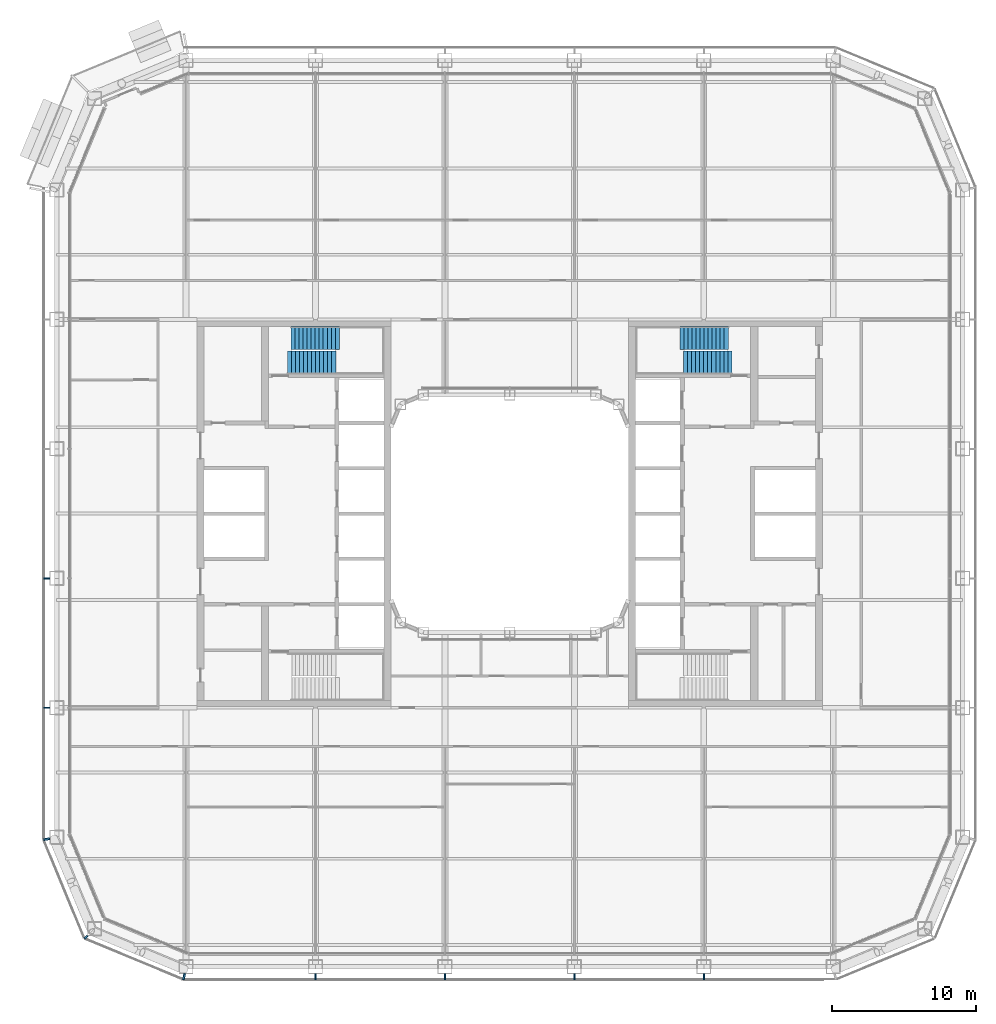
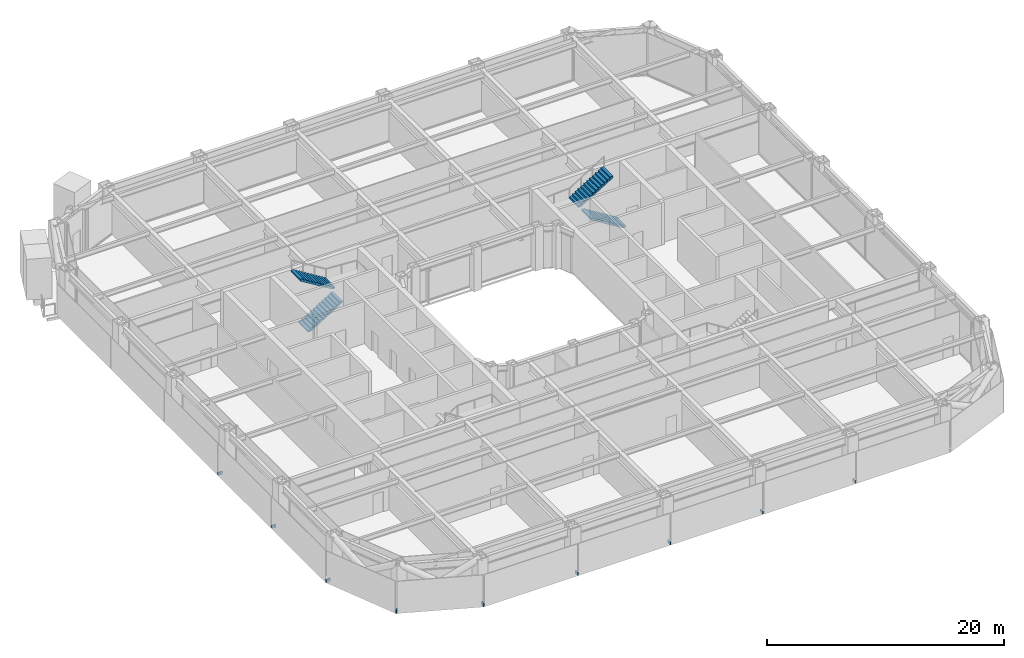
# One storey, part 17 of 29: 9 discrete accessories, 4 stair flights, 2 elements without a shape of their own.
"""IFC4 building model written with IfcOpenShell, lengths in metres."""

from ifc_helpers import new_model, si_unit, direction, frame, origin, origin_2d, place, context, subcontext, project, spatial, polyline, rectangle, outline, extrude, material, type_object, element, aggregate, save


model = new_model("IFC4")

# Units and contexts
model_context = context("Model", 3, precision=1e-05, world=origin(), true_north=direction((0.0, 1.0)))
body_context = subcontext(model_context, "Body", "Model", "MODEL_VIEW")
ifc_project = project(units=[si_unit("LENGTHUNIT", "METRE"), si_unit("AREAUNIT", "SQUARE_METRE"), si_unit("VOLUMEUNIT", "CUBIC_METRE"), si_unit("PLANEANGLEUNIT", "RADIAN"), si_unit("MASSUNIT", "GRAM", prefix="KILO")], contexts=[model_context])

# Site, building, storey
site_placement = place(None, origin())
site = spatial("IfcSite", under=ifc_project, at=site_placement, CompositionType="ELEMENT")
building_placement = place(site_placement, origin())
building = spatial("IfcBuilding", under=site, at=building_placement, Name="Siwar Civic Tower", CompositionType="ELEMENT")
storey_placement = place(building_placement, frame((0.0, 0.0, 67.199951171875)))
storey = spatial("IfcBuildingStorey", under=building, at=storey_placement, Name="L14", CompositionType="ELEMENT", Elevation=67.199951171875)

# Stair, stair flights
ifc_material_1 = material(Name="Concrete C40/50", Category="concrete")
stair_type = type_object("IfcStairType", Name="CORE-STAIR", PredefinedType="TWO_STRAIGHT_RUN_STAIR", material=ifc_material_1)
stair_1_placement = place(storey_placement, origin())
stair_1 = element("IfcStair", 1, at=stair_1_placement, inside=storey, type_object=stair_type, Name="Exit stair ST1", PredefinedType="TWO_STRAIGHT_RUN_STAIR")
ifc_material_2 = material(Name="Concrete C40/50", Category="concrete")
stair_flight_type = type_object("IfcStairFlightType", Name="CORE-STAIR-FLIGHT", PredefinedType="STRAIGHT", material=ifc_material_2)
stair_flight_1_placement = place(storey_placement, frame((-15.449951171875, 10.5, 0.0), z_axis=(0.0, 0.0, 1.0), x_axis=(1.0, 0.0, 0.0)))
stair_flight_1 = element("IfcStairFlight", 2, at=stair_flight_1_placement, type_object=stair_flight_type, Name="ST1 flight 1", NumberOfRisers=13, NumberOfTreads=12, PredefinedType="STRAIGHT", RiserHeight=0.173076923, TreadLength=0.28, context=body_context, shape_type="SweptSolid", body=[
    extrude(outline(polyline([(0.0, 0.0), (0.0, 0.173095703125), (0.280029296875, 0.173095703125), (0.280029296875, 0.34619140625), (0.56005859375, 0.34619140625), (0.56005859375, 0.519287109375), (0.840087890625, 0.519287109375), (0.840087890625, 0.6923828125), (1.1201171875, 0.6923828125), (1.1201171875, 0.865478515625), (1.39990234375, 0.865478515625), (1.39990234375, 1.03857421875), (1.679931640625, 1.03857421875), (1.679931640625, 1.21142578125), (1.9599609375, 1.21142578125), (1.9599609375, 1.384521484375), (2.239990234375, 1.384521484375), (2.239990234375, 1.5576171875), (2.52001953125, 1.5576171875), (2.52001953125, 1.730712890625), (2.800048828125, 1.730712890625), (2.800048828125, 1.90380859375), (3.080078125, 1.90380859375), (3.080078125, 2.076904296875), (3.360107421875, 2.076904296875), (3.360107421875, 2.25), (3.360107421875, 1.900634765625), (0.28515625, 0.0), (0.0, 0.0)])), frame((0.0, 0.800048828125, 0.0), z_axis=(0.0, -1.0, 0.0), x_axis=(1.0, 0.0, 0.0)), (0.0, 0.0, 1.0), 1.60009765625),
])
stair_flight_2_placement = place(storey_placement, frame((-11.840087890625, 12.199951171875, 2.25), z_axis=(0.0, 0.0, 1.0), x_axis=(-1.0, 0.0, 0.0)))
stair_flight_2 = element("IfcStairFlight", 3, at=stair_flight_2_placement, type_object=stair_flight_type, Name="ST1 flight 2", NumberOfRisers=13, NumberOfTreads=12, PredefinedType="STRAIGHT", RiserHeight=0.173076923, TreadLength=0.28, context=body_context, shape_type="SweptSolid", body=[
    extrude(outline(polyline([(0.0, 0.0), (0.0, 0.173095703125), (0.280029296875, 0.173095703125), (0.280029296875, 0.34619140625), (0.56005859375, 0.34619140625), (0.56005859375, 0.519287109375), (0.840087890625, 0.519287109375), (0.840087890625, 0.6923828125), (1.1201171875, 0.6923828125), (1.1201171875, 0.865478515625), (1.39990234375, 0.865478515625), (1.39990234375, 1.03857421875), (1.679931640625, 1.03857421875), (1.679931640625, 1.21142578125), (1.9599609375, 1.21142578125), (1.9599609375, 1.384521484375), (2.239990234375, 1.384521484375), (2.239990234375, 1.5576171875), (2.52001953125, 1.5576171875), (2.52001953125, 1.730712890625), (2.800048828125, 1.730712890625), (2.800048828125, 1.90380859375), (3.080078125, 1.90380859375), (3.080078125, 2.076904296875), (3.360107421875, 2.076904296875), (3.360107421875, 2.25), (3.360107421875, 1.900634765625), (0.28515625, 0.0), (0.0, 0.0)])), frame((0.0, 0.800048828125, 0.0), z_axis=(0.0, -1.0, 0.0), x_axis=(1.0, 0.0, 0.0)), (0.0, 0.0, 1.0), 1.60009765625),
])
aggregate(stair_1, [stair_flight_1, stair_flight_2])

stair_2_placement = place(storey_placement, origin())
stair_2 = element("IfcStair", 4, at=stair_2_placement, inside=storey, type_object=stair_type, Name="Exit stair ST3", PredefinedType="TWO_STRAIGHT_RUN_STAIR")
stair_flight_3_placement = place(storey_placement, frame((15.449951171875, 10.5, 0.0), z_axis=(0.0, 0.0, 1.0), x_axis=(-1.0, 0.0, 0.0)))
stair_flight_3 = element("IfcStairFlight", 5, at=stair_flight_3_placement, type_object=stair_flight_type, Name="ST3 flight 1", NumberOfRisers=13, NumberOfTreads=12, PredefinedType="STRAIGHT", RiserHeight=0.173076923, TreadLength=0.28, context=body_context, shape_type="SweptSolid", body=[
    extrude(outline(polyline([(0.0, 0.0), (0.0, 0.173095703125), (0.280029296875, 0.173095703125), (0.280029296875, 0.34619140625), (0.56005859375, 0.34619140625), (0.56005859375, 0.519287109375), (0.840087890625, 0.519287109375), (0.840087890625, 0.6923828125), (1.1201171875, 0.6923828125), (1.1201171875, 0.865478515625), (1.39990234375, 0.865478515625), (1.39990234375, 1.03857421875), (1.679931640625, 1.03857421875), (1.679931640625, 1.21142578125), (1.9599609375, 1.21142578125), (1.9599609375, 1.384521484375), (2.239990234375, 1.384521484375), (2.239990234375, 1.5576171875), (2.52001953125, 1.5576171875), (2.52001953125, 1.730712890625), (2.800048828125, 1.730712890625), (2.800048828125, 1.90380859375), (3.080078125, 1.90380859375), (3.080078125, 2.076904296875), (3.360107421875, 2.076904296875), (3.360107421875, 2.25), (3.360107421875, 1.900634765625), (0.28515625, 0.0), (0.0, 0.0)])), frame((0.0, 0.800048828125, 0.0), z_axis=(0.0, -1.0, 0.0), x_axis=(1.0, 0.0, 0.0)), (0.0, 0.0, 1.0), 1.60009765625),
])
stair_flight_4_placement = place(storey_placement, frame((11.840087890625, 12.199951171875, 2.25), z_axis=(0.0, 0.0, 1.0), x_axis=(1.0, 0.0, 0.0)))
stair_flight_4 = element("IfcStairFlight", 6, at=stair_flight_4_placement, type_object=stair_flight_type, Name="ST3 flight 2", NumberOfRisers=13, NumberOfTreads=12, PredefinedType="STRAIGHT", RiserHeight=0.173076923, TreadLength=0.28, context=body_context, shape_type="SweptSolid", body=[
    extrude(outline(polyline([(0.0, 0.0), (0.0, 0.173095703125), (0.280029296875, 0.173095703125), (0.280029296875, 0.34619140625), (0.56005859375, 0.34619140625), (0.56005859375, 0.519287109375), (0.840087890625, 0.519287109375), (0.840087890625, 0.6923828125), (1.1201171875, 0.6923828125), (1.1201171875, 0.865478515625), (1.39990234375, 0.865478515625), (1.39990234375, 1.03857421875), (1.679931640625, 1.03857421875), (1.679931640625, 1.21142578125), (1.9599609375, 1.21142578125), (1.9599609375, 1.384521484375), (2.239990234375, 1.384521484375), (2.239990234375, 1.5576171875), (2.52001953125, 1.5576171875), (2.52001953125, 1.730712890625), (2.800048828125, 1.730712890625), (2.800048828125, 1.90380859375), (3.080078125, 1.90380859375), (3.080078125, 2.076904296875), (3.360107421875, 2.076904296875), (3.360107421875, 2.25), (3.360107421875, 1.900634765625), (0.28515625, 0.0), (0.0, 0.0)])), frame((0.0, 0.800048828125, 0.0), z_axis=(0.0, -1.0, 0.0), x_axis=(1.0, 0.0, 0.0)), (0.0, 0.0, 1.0), 1.60009765625),
])
aggregate(stair_2, [stair_flight_3, stair_flight_4])

# Discrete accessories
ifc_material_3 = material(Name="Stainless steel 316", Category="steel")
discrete_accessory_type = type_object("IfcDiscreteAccessoryType", Name="ENV-BRACKET", PredefinedType="BRACKET", material=ifc_material_3)
for number, where, z_axis, x_axis, name in (
    (7, (-13.5, -32.18994140625, -0.14990234375), (0.0, 0.0, 1.0), (0.0, -1.0, 0.0), "Bracket outer skin joint S-01"),
    (8, (-4.5, -32.18994140625, -0.14990234375), (0.0, 0.0, 1.0), (0.0, -1.0, 0.0), "Bracket outer skin joint S-02"),
    (9, (4.5, -32.18994140625, -0.14990234375), (0.0, 0.0, 1.0), (0.0, -1.0, 0.0), "Bracket outer skin joint S-03"),
    (10, (13.5, -32.18994140625, -0.14990234375), (0.0, 0.0, 1.0), (0.0, -1.0, 0.0), "Bracket outer skin joint S-04"),
):
    element("IfcDiscreteAccessory", number, at=place(storey_placement, frame(where, z_axis=z_axis, x_axis=x_axis)), inside=storey, type_object=discrete_accessory_type, Name=name, PredefinedType="BRACKET", context=body_context, shape_type="SweptSolid", body=[
        extrude(rectangle(XDim=0.419921875, YDim=0.10009765625, at=origin_2d()), origin(), (0.0, 0.0, 1.0), 0.300048828125),
    ])
for number, where, z_axis, x_axis, name in (
    (11, (-22.63720703125, -32.190185546875, -0.14990234375), (0.0, 0.0, 1.0), (-0.195090322016, -0.980785280403, 0.0), "Bracket outer skin joint V00"),
    (12, (-32.190185546875, -22.63720703125, -0.14990234375), (0.0, 0.0, 1.0), (-0.980785280403, -0.195090322016, 0.0), "Bracket outer skin joint V10"),
):
    element("IfcDiscreteAccessory", number, at=place(storey_placement, frame(where, z_axis=z_axis, x_axis=x_axis)), inside=storey, type_object=discrete_accessory_type, Name=name, PredefinedType="BRACKET", context=body_context, shape_type="SweptSolid", body=[
        extrude(rectangle(XDim=0.427734375, YDim=0.13720703125, at=origin_2d()), origin(), (0.0, 0.0, 1.0), 0.300048828125),
    ])
discrete_accessory_placement = place(storey_placement, frame((-29.451416015625, -29.451416015625, -0.14990234375), z_axis=(0.0, 0.0, 1.0), x_axis=(-0.707106781187, -0.707106781187, 0.0)))
element("IfcDiscreteAccessory", 13, at=discrete_accessory_placement, inside=storey, type_object=discrete_accessory_type, Name="Bracket outer skin joint V11", PredefinedType="BRACKET", context=body_context, shape_type="SweptSolid", body=[
    extrude(rectangle(XDim=0.287109375, YDim=0.12939453125, at=origin_2d()), origin(), (0.0, 0.0, 1.0), 0.300048828125),
])
for number, where, z_axis, x_axis, name in (
    (14, (-32.18994140625, -4.5, -0.14990234375), (0.0, 0.0, 1.0), (-1.0, 0.0, 0.0), "Bracket outer skin joint W-03"),
    (15, (-32.18994140625, -13.5, -0.14990234375), (0.0, 0.0, 1.0), (-1.0, 0.0, 0.0), "Bracket outer skin joint W-04"),
):
    element("IfcDiscreteAccessory", number, at=place(storey_placement, frame(where, z_axis=z_axis, x_axis=x_axis)), inside=storey, type_object=discrete_accessory_type, Name=name, PredefinedType="BRACKET", context=body_context, shape_type="SweptSolid", body=[
        extrude(rectangle(XDim=0.419921875, YDim=0.10009765625, at=origin_2d()), origin(), (0.0, 0.0, 1.0), 0.300048828125),
    ])

save(model, "model.ifc")
